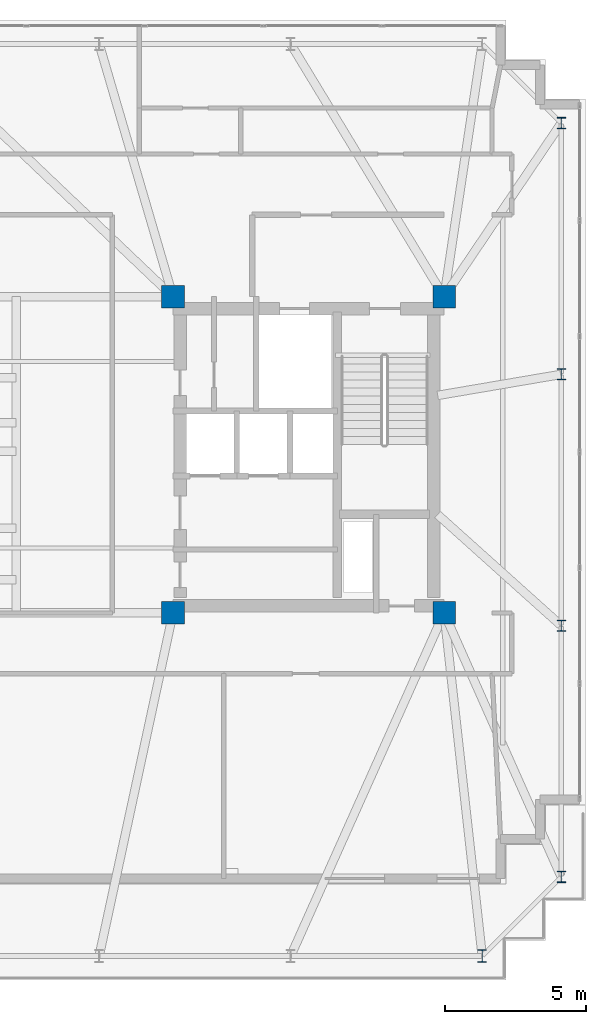
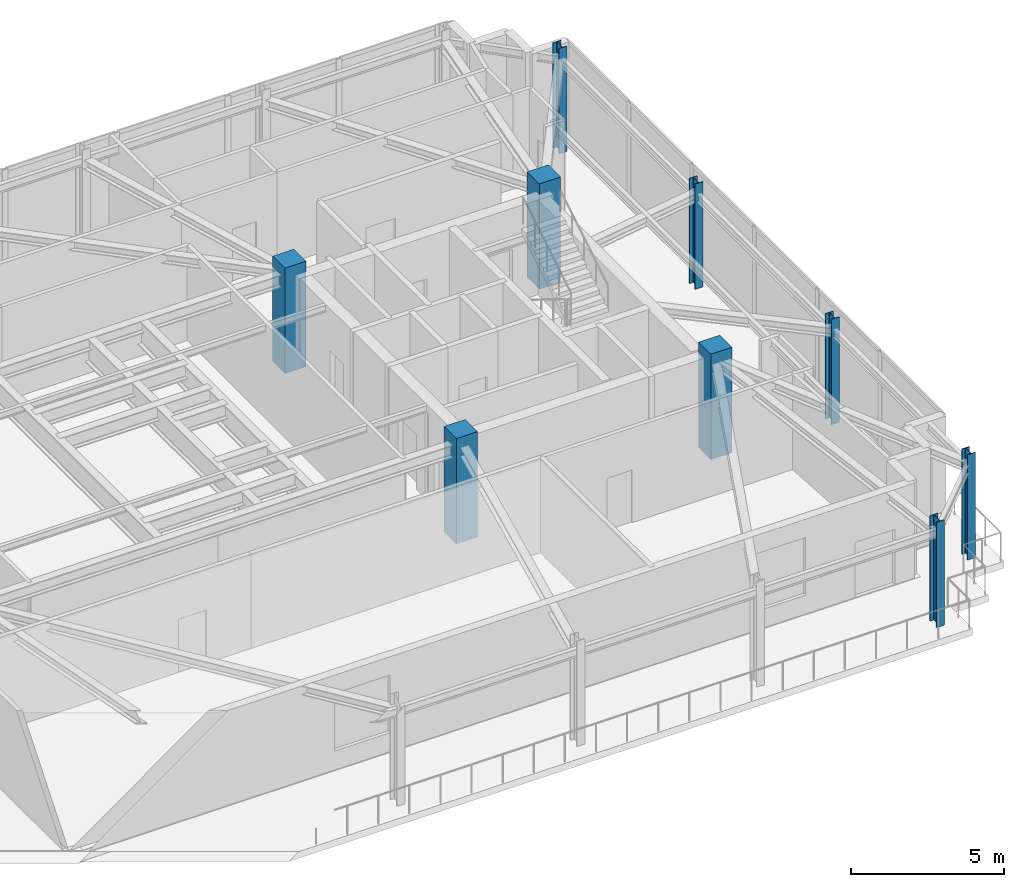
# One storey, part 2 of 24: 9 columns.
"""IFC4 building model written with IfcOpenShell, lengths in metres."""

from ifc_helpers import new_model, si_unit, direction, frame, origin, origin_2d, place, context, subcontext, project, spatial, rectangle, i_section, extrude, material, material_profile, profile_set, type_object, element, save


model = new_model("IFC4")

# Units and contexts
model_context = context("Model", 3, precision=1e-05, world=origin(), true_north=direction((0.0, 1.0)))
body_context = subcontext(model_context, "Body", "Model", "MODEL_VIEW")
ifc_project = project(units=[si_unit("LENGTHUNIT", "METRE"), si_unit("AREAUNIT", "SQUARE_METRE"), si_unit("VOLUMEUNIT", "CUBIC_METRE"), si_unit("PLANEANGLEUNIT", "RADIAN"), si_unit("MASSUNIT", "GRAM", prefix="KILO")], contexts=[model_context])

# Site, building, storey
site_placement = place(None, origin())
site = spatial("IfcSite", under=ifc_project, at=site_placement, CompositionType="ELEMENT")
building_placement = place(site_placement, origin())
building = spatial("IfcBuilding", under=site, at=building_placement, Name="Qobustan Lattice House", CompositionType="ELEMENT")
storey_placement = place(building_placement, frame((0.0, 0.0, 261.800048828125)))
storey = spatial("IfcBuildingStorey", under=building, at=storey_placement, Name="L74", CompositionType="ELEMENT", Elevation=261.800048828125)

# Columns
ifc_material_1 = material(Name="Concrete C50/60", Category="concrete")
ifc_material_profile_1 = material_profile(ifc_material_1, rectangle(XDim=0.800048828125, YDim=0.800048828125, at=origin_2d()), Name="RC800x800")
ifc_profile_set_1 = profile_set([ifc_material_profile_1], Name="Concrete C50/60")
column_type_1 = type_object("IfcColumnType", Name="COL-RC-800", PredefinedType="COLUMN", material=ifc_profile_set_1)
for number, where, z_axis, x_axis, name in (
    (1, (9.199951171875, -5.60009765625, 0.0), (0.0, 0.0, 1.0), (1.0, 0.0, 0.0), "L74 core mega-column CE-SW"),
    (2, (9.199951171875, 5.60009765625, 0.0), (0.0, 0.0, 1.0), (1.0, 0.0, 0.0), "L74 core mega-column CE-NW"),
    (3, (18.800048828125, -5.60009765625, 0.0), (0.0, 0.0, 1.0), (1.0, 0.0, 0.0), "L74 core mega-column CE-SE"),
    (4, (18.800048828125, 5.60009765625, 0.0), (0.0, 0.0, 1.0), (1.0, 0.0, 0.0), "L74 core mega-column CE-NE"),
):
    element("IfcColumn", number, at=place(storey_placement, frame(where, z_axis=z_axis, x_axis=x_axis)), inside=storey, type_object=column_type_1, Name=name, PredefinedType="COLUMN", context=body_context, shape_type="SweptSolid", body=[
        extrude(rectangle(XDim=0.800048828125, YDim=0.800048828125, at=origin_2d()), origin(), (0.0, 0.0, 1.0), 4.199951171875),
    ])
ifc_material_2 = material(Name="Steel S355", Category="steel")
ifc_material_profile_2 = material_profile(ifc_material_2, i_section(OverallWidth=0.300048828125, OverallDepth=0.39990234375, WebThickness=0.013427734375, FlangeThickness=0.02392578125, FilletRadius=0.027099609375, at=origin_2d()), Name="HEB400")
ifc_profile_set_2 = profile_set([ifc_material_profile_2], Name="Steel S355")
column_type_2 = type_object("IfcColumnType", Name="COL-ST-HEB400", PredefinedType="COLUMN", material=ifc_profile_set_2)
for number, where, z_axis, x_axis, name in (
    (5, (22.949951171875, -14.949951171875, 0.0), (0.0, 0.0, 1.0), (1.0, 0.0, 0.0), "L74 B5 perimeter column E1"),
    (6, (22.949951171875, -6.050048828125, 0.0), (0.0, 0.0, 1.0), (1.0, 0.0, 0.0), "L74 B5 perimeter column E2"),
    (7, (22.949951171875, 2.85009765625, 0.0), (0.0, 0.0, 1.0), (1.0, 0.0, 0.0), "L74 B5 perimeter column E3"),
    (8, (22.949951171875, 11.75, 0.0), (0.0, 0.0, 1.0), (1.0, 0.0, 0.0), "L74 B5 perimeter column E4"),
):
    element("IfcColumn", number, at=place(storey_placement, frame(where, z_axis=z_axis, x_axis=x_axis)), inside=storey, type_object=column_type_2, Name=name, PredefinedType="COLUMN", context=body_context, shape_type="SweptSolid", body=[
        extrude(i_section(OverallWidth=0.300048828125, OverallDepth=0.39990234375, WebThickness=0.013427734375, FlangeThickness=0.02392578125, FilletRadius=0.027099609375, at=origin_2d()), origin(), (0.0, 0.0, 1.0), 4.199951171875),
    ])
ifc_material_3 = material(Name="Steel S355", Category="steel")
ifc_material_profile_3 = material_profile(ifc_material_3, i_section(OverallWidth=0.300048828125, OverallDepth=0.449951171875, WebThickness=0.013916015625, FlangeThickness=0.02587890625, FilletRadius=0.027099609375, at=origin_2d()), Name="HEB450")
ifc_profile_set_3 = profile_set([ifc_material_profile_3], Name="Steel S355")
column_type_3 = type_object("IfcColumnType", Name="COL-ST-HEB450", PredefinedType="COLUMN", material=ifc_profile_set_3)
column_placement = place(storey_placement, frame((20.14990234375, -17.75, 0.0), z_axis=(0.0, 0.0, 1.0), x_axis=(1.0, 0.0, 0.0)))
element("IfcColumn", 9, at=column_placement, inside=storey, type_object=column_type_3, Name="L74 B5 perimeter column S7", PredefinedType="COLUMN", context=body_context, shape_type="SweptSolid", body=[
    extrude(i_section(OverallWidth=0.300048828125, OverallDepth=0.449951171875, WebThickness=0.013916015625, FlangeThickness=0.02587890625, FilletRadius=0.027099609375, at=origin_2d()), origin(), (0.0, 0.0, 1.0), 4.199951171875),
])

save(model, "model.ifc")
